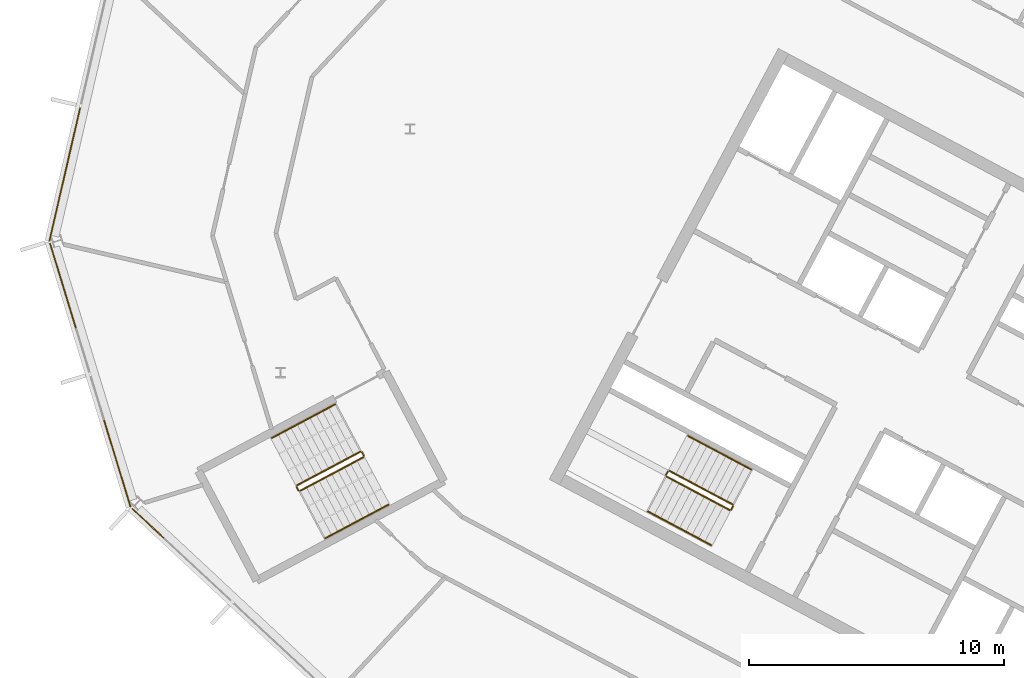
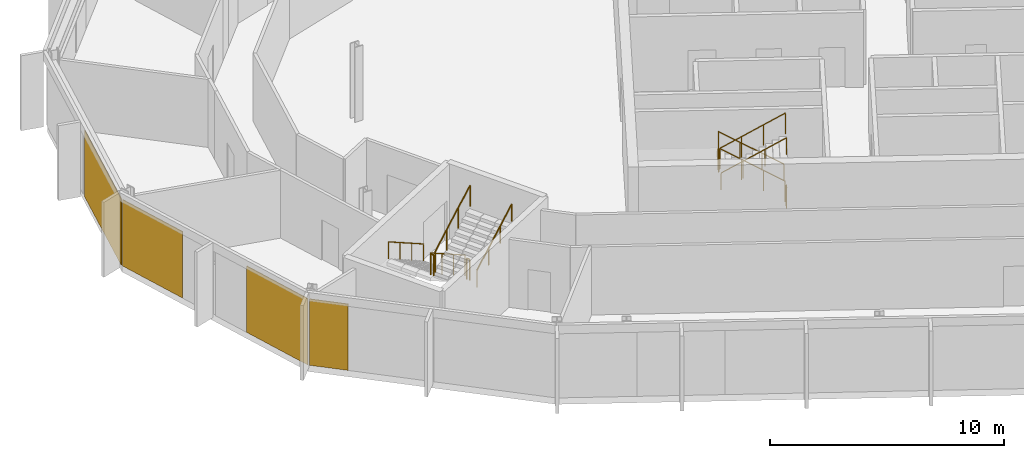
# One storey, part 21 of 26: 12 railings, 4 coverings, 3 elements without a shape of their own.
"""IFC4 building model written with IfcOpenShell, lengths in metres."""

from ifc_helpers import new_model, si_unit, direction, frame, origin, origin_2d, place, context, subcontext, project, spatial, polyline, rectangle, outline, extrude, material, layer, layer_set, type_object, element, aggregate, save


model = new_model("IFC4")

# Units and contexts
model_context = context("Model", 3, precision=1e-05, world=origin(), true_north=direction((0.0, 1.0)))
body_context = subcontext(model_context, "Body", "Model", "MODEL_VIEW")
ifc_project = project(units=[si_unit("LENGTHUNIT", "METRE"), si_unit("AREAUNIT", "SQUARE_METRE"), si_unit("VOLUMEUNIT", "CUBIC_METRE"), si_unit("PLANEANGLEUNIT", "RADIAN"), si_unit("MASSUNIT", "GRAM", prefix="KILO")], contexts=[model_context])

# Site, building, storey
site_placement = place(None, origin())
site = spatial("IfcSite", under=ifc_project, at=site_placement, CompositionType="ELEMENT")
building_placement = place(site_placement, origin())
building = spatial("IfcBuilding", under=site, at=building_placement, Name="Cormorant Relay Tower", CompositionType="ELEMENT")
storey_placement = place(building_placement, frame((0.0, 0.0, 293.10009765625)))
storey = spatial("IfcBuildingStorey", under=building, at=storey_placement, Name="L66", CompositionType="ELEMENT", Elevation=293.10009765625)

# Curtain wall, covering
ifc_material_1 = material(Name="Aluminium 6063-T6 anodised bronze", Category="aluminium")
ifc_layer_1 = layer(ifc_material_1, 0.199951171875)
ifc_layer_set_1 = layer_set([ifc_layer_1], Name="CW1 unitised bronze curtain wall with vertical fins")
curtain_wall_type = type_object("IfcCurtainWallType", Name="CW1 unitised bronze curtain wall with vertical fins", PredefinedType="NOTDEFINED", material=ifc_layer_set_1)
curtain_wall_1_placement = place(storey_placement, origin())
curtain_wall_1 = element("IfcCurtainWall", 1, at=curtain_wall_1_placement, inside=storey, type_object=curtain_wall_type, Name="CW1 curtain wall 13", PredefinedType="NOTDEFINED")
ifc_material_2 = material(Name="Pale bronze anodised aluminium insulated panel", Category="aluminium")
ifc_layer_2 = layer(ifc_material_2, 0.0400390625)
ifc_layer_set_2 = layer_set([ifc_layer_2], Name="CW1 pale bronze insulated panel 40")
covering_type = type_object("IfcCoveringType", Name="CW1 pale bronze insulated panel 40", PredefinedType="CLADDING", material=ifc_layer_set_2)
covering_1_placement = place(storey_placement, frame((-60.136474609375, 23.00927734375, 0.0), z_axis=(0.0, 0.0, 1.0), x_axis=(-0.224951054344, -0.974370064785, 0.0)))
covering_1 = element("IfcCovering", 2, at=covering_1_placement, type_object=covering_type, Name="CW1 panel S01", PredefinedType="CLADDING", context=body_context, shape_type="SweptSolid", body=[
    extrude(rectangle(XDim=5.360107421875, YDim=0.0400390625, at=origin_2d()), origin(), (0.0, 0.0, 1.0), 3.449951171875),
])
aggregate(curtain_wall_1, [covering_1])

# Curtain wall, coverings
curtain_wall_2_placement = place(storey_placement, origin())
curtain_wall_2 = element("IfcCurtainWall", 3, at=curtain_wall_2_placement, inside=storey, type_object=curtain_wall_type, Name="CW1 curtain wall 14", PredefinedType="NOTDEFINED")
covering_2_placement = place(storey_placement, frame((-60.20751953125, 18.6494140625, 0.0), z_axis=(0.0, 0.0, 1.0), x_axis=(0.292371704723, -0.956304755963, 0.0)))
covering_2 = element("IfcCovering", 4, at=covering_2_placement, type_object=covering_type, Name="CW1 panel S00", PredefinedType="CLADDING", context=body_context, shape_type="SweptSolid", body=[
    extrude(rectangle(XDim=3.485107421875, YDim=0.0400390625, at=origin_2d()), origin(), (0.0, 0.0, 1.0), 3.449951171875),
])
covering_3_placement = place(storey_placement, frame((-58.081298828125, 11.6943359375, 0.0), z_axis=(0.0, 0.0, 1.0), x_axis=(0.292371704723, -0.956304755963, 0.0)))
covering_3 = element("IfcCovering", 5, at=covering_3_placement, type_object=covering_type, Name="CW1 panel S03", PredefinedType="CLADDING", context=body_context, shape_type="SweptSolid", body=[
    extrude(rectangle(XDim=3.560302734375, YDim=0.0400390625, at=origin_2d()), origin(), (0.0, 0.0, 1.0), 3.449951171875),
])
aggregate(curtain_wall_2, [covering_2, covering_3])

# Curtain wall, covering
curtain_wall_3_placement = place(storey_placement, origin())
curtain_wall_3 = element("IfcCurtainWall", 6, at=curtain_wall_3_placement, inside=storey, type_object=curtain_wall_type, Name="CW1 curtain wall 15", PredefinedType="NOTDEFINED")
covering_4_placement = place(storey_placement, frame((-56.88427734375, 9.357421875, 0.0), z_axis=(0.0, 0.0, 1.0), x_axis=(0.731353701619, -0.681998360062, 0.0)))
covering_4 = element("IfcCovering", 7, at=covering_4_placement, type_object=covering_type, Name="CW1 panel S00", PredefinedType="CLADDING", context=body_context, shape_type="SweptSolid", body=[
    extrude(rectangle(XDim=1.685302734375, YDim=0.0400390625, at=origin_2d()), origin(), (0.0, 0.0, 1.0), 3.449951171875),
])
aggregate(curtain_wall_3, [covering_4])

# Railings
ifc_material_3 = material(Name="Steel ASTM A572 Grade 50 (Fy 345 MPa)", Category="steel")
railing_type_1 = type_object("IfcRailingType", Name="Stair guard 1100", PredefinedType="GUARDRAIL", material=ifc_material_3)
railing_1_placement = place(storey_placement, frame((-33.9921875, 10.08935546875, 0.17724609375)))
element("IfcRailing", 8, at=railing_1_placement, inside=storey, type_object=railing_type_1, Name="L66 A2 stair guard 1", PredefinedType="GUARDRAIL", context=body_context, shape_type="SweptSolid", body=[
    extrude(outline(polyline([(0.022216796875, 0.00927734375), (0.00927734375, 0.022216796875), (-0.00927734375, 0.022216796875), (-0.022216796875, 0.00927734375), (-0.022216796875, -0.00927734375), (-0.00927734375, -0.022216796875), (0.00927734375, -0.022216796875), (0.022216796875, -0.00927734375), (0.022216796875, 0.00927734375)])), frame((0.0, 0.0, 1.076171875), z_axis=(-0.746001213114, 0.396649272309, 0.534931345884), x_axis=(-0.469465464807, -0.882950835185, 0.0)), (0.0, 0.0, 1.0), 3.31396484375),
    extrude(outline(polyline([(0.019287109375, 0.008056640625), (0.008056640625, 0.019287109375), (-0.008056640625, 0.019287109375), (-0.019287109375, 0.008056640625), (-0.019287109375, -0.008056640625), (-0.008056640625, -0.019287109375), (0.008056640625, -0.019287109375), (0.019287109375, -0.008056640625), (0.019287109375, 0.008056640625)])), origin(), (0.0, 0.0, 1.0), 1.052001953125),
    extrude(outline(polyline([(0.019287109375, 0.008056640625), (0.008056640625, 0.019287109375), (-0.008056640625, 0.019287109375), (-0.019287109375, 0.008056640625), (-0.019287109375, -0.008056640625), (-0.008056640625, -0.019287109375), (0.008056640625, -0.019287109375), (0.019287109375, -0.008056640625), (0.019287109375, 0.008056640625)])), frame((-0.823974609375, 0.438232421875, 0.5908203125)), (0.0, 0.0, 1.0), 1.052001953125),
    extrude(outline(polyline([(0.019287109375, 0.008056640625), (0.008056640625, 0.019287109375), (-0.008056640625, 0.019287109375), (-0.019287109375, 0.008056640625), (-0.019287109375, -0.008056640625), (-0.008056640625, -0.019287109375), (0.008056640625, -0.019287109375), (0.019287109375, -0.008056640625), (0.019287109375, 0.008056640625)])), frame((-1.648193359375, 0.876220703125, 1.181884765625)), (0.0, 0.0, 1.0), 1.052001953125),
    extrude(outline(polyline([(0.019287109375, 0.008056640625), (0.008056640625, 0.019287109375), (-0.008056640625, 0.019287109375), (-0.019287109375, 0.008056640625), (-0.019287109375, -0.008056640625), (-0.008056640625, -0.019287109375), (0.008056640625, -0.019287109375), (0.019287109375, -0.008056640625), (0.019287109375, 0.008056640625)])), frame((-2.47216796875, 1.314453125, 1.772705078125)), (0.0, 0.0, 1.0), 1.052001953125),
])
railing_2_placement = place(storey_placement, frame((-36.531982421875, 11.38330078125, 1.949951171875)))
element("IfcRailing", 9, at=railing_2_placement, inside=storey, type_object=railing_type_1, Name="L66 A2 stair guard 2", PredefinedType="GUARDRAIL", context=body_context, shape_type="SweptSolid", body=[
    extrude(outline(polyline([(0.022216796875, 0.00927734375), (0.00927734375, 0.022216796875), (-0.00927734375, 0.022216796875), (-0.022216796875, 0.00927734375), (-0.022216796875, -0.00927734375), (-0.00927734375, -0.022216796875), (0.00927734375, -0.022216796875), (0.022216796875, -0.00927734375), (0.022216796875, 0.00927734375)])), frame((0.0, 0.0, 1.076171875), z_axis=(-0.469828648786, -0.882757634224, 0.0), x_axis=(0.882757634224, -0.469828648786, 0.0)), (0.0, 0.0, 1.0), 0.150146484375),
    extrude(outline(polyline([(0.019287109375, 0.008056640625), (0.008056640625, 0.019287109375), (-0.008056640625, 0.019287109375), (-0.019287109375, 0.008056640625), (-0.019287109375, -0.008056640625), (-0.008056640625, -0.019287109375), (0.008056640625, -0.019287109375), (0.019287109375, -0.008056640625), (0.019287109375, 0.008056640625)])), origin(), (0.0, 0.0, 1.0), 1.052001953125),
    extrude(outline(polyline([(0.019287109375, 0.008056640625), (0.008056640625, 0.019287109375), (-0.008056640625, 0.019287109375), (-0.019287109375, 0.008056640625), (-0.019287109375, -0.008056640625), (-0.008056640625, -0.019287109375), (0.008056640625, -0.019287109375), (0.019287109375, -0.008056640625), (0.019287109375, 0.008056640625)])), frame((-0.070556640625, -0.132568359375, 0.0)), (0.0, 0.0, 1.0), 1.052001953125),
])
railing_3_placement = place(storey_placement, frame((-36.581787109375, 11.18310546875, 2.127197265625)))
element("IfcRailing", 10, at=railing_3_placement, inside=storey, type_object=railing_type_1, Name="L66 A2 stair guard 3", PredefinedType="GUARDRAIL", context=body_context, shape_type="SweptSolid", body=[
    extrude(outline(polyline([(0.022216796875, 0.00927734375), (0.00927734375, 0.022216796875), (-0.00927734375, 0.022216796875), (-0.022216796875, 0.00927734375), (-0.022216796875, -0.00927734375), (-0.00927734375, -0.022216796875), (0.00927734375, -0.022216796875), (0.022216796875, -0.00927734375), (0.022216796875, 0.00927734375)])), frame((0.0, 0.0, 1.076171875), z_axis=(0.746001213114, -0.396649272309, 0.534931345884), x_axis=(0.469465464807, 0.882950835185, 0.0)), (0.0, 0.0, 1.0), 3.31396484375),
    extrude(outline(polyline([(0.019287109375, 0.008056640625), (0.008056640625, 0.019287109375), (-0.008056640625, 0.019287109375), (-0.019287109375, 0.008056640625), (-0.019287109375, -0.008056640625), (-0.008056640625, -0.019287109375), (0.008056640625, -0.019287109375), (0.019287109375, -0.008056640625), (0.019287109375, 0.008056640625)])), origin(), (0.0, 0.0, 1.0), 1.052001953125),
    extrude(outline(polyline([(0.019287109375, 0.008056640625), (0.008056640625, 0.019287109375), (-0.008056640625, 0.019287109375), (-0.019287109375, 0.008056640625), (-0.019287109375, -0.008056640625), (-0.008056640625, -0.019287109375), (0.008056640625, -0.019287109375), (0.019287109375, -0.008056640625), (0.019287109375, 0.008056640625)])), frame((0.823974609375, -0.438232421875, 0.5908203125)), (0.0, 0.0, 1.0), 1.052001953125),
    extrude(outline(polyline([(0.019287109375, 0.008056640625), (0.008056640625, 0.019287109375), (-0.008056640625, 0.019287109375), (-0.019287109375, 0.008056640625), (-0.019287109375, -0.008056640625), (-0.008056640625, -0.019287109375), (0.008056640625, -0.019287109375), (0.019287109375, -0.008056640625), (0.019287109375, 0.008056640625)])), frame((1.648193359375, -0.876220703125, 1.181884765625)), (0.0, 0.0, 1.0), 1.052001953125),
    extrude(outline(polyline([(0.019287109375, 0.008056640625), (0.008056640625, 0.019287109375), (-0.008056640625, 0.019287109375), (-0.019287109375, 0.008056640625), (-0.019287109375, -0.008056640625), (-0.008056640625, -0.019287109375), (0.008056640625, -0.019287109375), (0.019287109375, -0.008056640625), (0.019287109375, 0.008056640625)])), frame((2.47216796875, -1.314453125, 1.772705078125)), (0.0, 0.0, 1.0), 1.052001953125),
])
railing_4_placement = place(storey_placement, frame((-33.971435546875, 10.021728515625, 0.0)))
element("IfcRailing", 11, at=railing_4_placement, inside=storey, type_object=railing_type_1, Name="L66 A2 stair guard 4", PredefinedType="GUARDRAIL", context=body_context, shape_type="SweptSolid", body=[
    extrude(outline(polyline([(0.022216796875, 0.00927734375), (0.00927734375, 0.022216796875), (-0.00927734375, 0.022216796875), (-0.022216796875, 0.00927734375), (-0.022216796875, -0.00927734375), (-0.00927734375, -0.022216796875), (0.00927734375, -0.022216796875), (0.022216796875, -0.00927734375), (0.022216796875, 0.00927734375)])), frame((0.0, 0.0, 1.076171875), z_axis=(-0.470503732759, -0.882398003998, 0.0), x_axis=(0.882398003998, -0.470503732759, 0.0)), (0.0, 0.0, 1.0), 0.14990234375),
    extrude(outline(polyline([(0.019287109375, 0.008056640625), (0.008056640625, 0.019287109375), (-0.008056640625, 0.019287109375), (-0.019287109375, 0.008056640625), (-0.019287109375, -0.008056640625), (-0.008056640625, -0.019287109375), (0.008056640625, -0.019287109375), (0.019287109375, -0.008056640625), (0.019287109375, 0.008056640625)])), origin(), (0.0, 0.0, 1.0), 1.052001953125),
    extrude(outline(polyline([(0.019287109375, 0.008056640625), (0.008056640625, 0.019287109375), (-0.008056640625, 0.019287109375), (-0.019287109375, 0.008056640625), (-0.019287109375, -0.008056640625), (-0.008056640625, -0.019287109375), (0.008056640625, -0.019287109375), (0.019287109375, -0.008056640625), (0.019287109375, 0.008056640625)])), frame((-0.070556640625, -0.13232421875, 0.0)), (0.0, 0.0, 1.0), 1.052001953125),
])
railing_5_placement = place(storey_placement, frame((-48.5693359375, 12.155517578125, 0.17724609375)))
element("IfcRailing", 12, at=railing_5_placement, inside=storey, type_object=railing_type_1, Name="L66 RP1 stair guard 1", PredefinedType="GUARDRAIL", context=body_context, shape_type="SweptSolid", body=[
    extrude(outline(polyline([(0.022216796875, 0.00927734375), (0.00927734375, 0.022216796875), (-0.00927734375, 0.022216796875), (-0.022216796875, 0.00927734375), (-0.022216796875, -0.00927734375), (-0.00927734375, -0.022216796875), (0.00927734375, -0.022216796875), (0.022216796875, -0.00927734375), (0.022216796875, 0.00927734375)])), frame((0.0, 0.0, 1.076171875), z_axis=(-0.746012083385, -0.396689549623, 0.534886317514), x_axis=(0.469497295046, -0.882933910293, 0.0)), (0.0, 0.0, 1.0), 3.314208984375),
    extrude(outline(polyline([(0.019287109375, 0.008056640625), (0.008056640625, 0.019287109375), (-0.008056640625, 0.019287109375), (-0.019287109375, 0.008056640625), (-0.019287109375, -0.008056640625), (-0.008056640625, -0.019287109375), (0.008056640625, -0.019287109375), (0.019287109375, -0.008056640625), (0.019287109375, 0.008056640625)])), origin(), (0.0, 0.0, 1.0), 1.052001953125),
    extrude(outline(polyline([(0.019287109375, 0.008056640625), (0.008056640625, 0.019287109375), (-0.008056640625, 0.019287109375), (-0.019287109375, 0.008056640625), (-0.019287109375, -0.008056640625), (-0.008056640625, -0.019287109375), (0.008056640625, -0.019287109375), (0.019287109375, -0.008056640625), (0.019287109375, 0.008056640625)])), frame((-0.82421875, -0.438232421875, 0.5908203125)), (0.0, 0.0, 1.0), 1.052001953125),
    extrude(outline(polyline([(0.019287109375, 0.008056640625), (0.008056640625, 0.019287109375), (-0.008056640625, 0.019287109375), (-0.019287109375, 0.008056640625), (-0.019287109375, -0.008056640625), (-0.008056640625, -0.019287109375), (0.008056640625, -0.019287109375), (0.019287109375, -0.008056640625), (0.019287109375, 0.008056640625)])), frame((-1.648193359375, -0.87646484375, 1.181884765625)), (0.0, 0.0, 1.0), 1.052001953125),
    extrude(outline(polyline([(0.019287109375, 0.008056640625), (0.008056640625, 0.019287109375), (-0.008056640625, 0.019287109375), (-0.019287109375, 0.008056640625), (-0.019287109375, -0.008056640625), (-0.008056640625, -0.019287109375), (0.008056640625, -0.019287109375), (0.019287109375, -0.008056640625), (0.019287109375, 0.008056640625)])), frame((-2.472412109375, -1.314697265625, 1.772705078125)), (0.0, 0.0, 1.0), 1.052001953125),
])
railing_6_placement = place(storey_placement, frame((-51.062255859375, 10.773193359375, 1.949951171875)))
element("IfcRailing", 13, at=railing_6_placement, inside=storey, type_object=railing_type_1, Name="L66 RP1 stair guard 2", PredefinedType="GUARDRAIL", context=body_context, shape_type="SweptSolid", body=[
    extrude(outline(polyline([(0.022216796875, 0.00927734375), (0.00927734375, 0.022216796875), (-0.00927734375, 0.022216796875), (-0.022216796875, 0.00927734375), (-0.022216796875, -0.00927734375), (-0.00927734375, -0.022216796875), (0.00927734375, -0.022216796875), (0.022216796875, -0.00927734375), (0.022216796875, 0.00927734375)])), frame((0.0, 0.0, 1.076171875), z_axis=(0.469234640946, -0.883073525669, 0.0), x_axis=(0.883073525669, 0.469234640946, 0.0)), (0.0, 0.0, 1.0), 0.14990234375),
    extrude(outline(polyline([(0.019287109375, 0.008056640625), (0.008056640625, 0.019287109375), (-0.008056640625, 0.019287109375), (-0.019287109375, 0.008056640625), (-0.019287109375, -0.008056640625), (-0.008056640625, -0.019287109375), (0.008056640625, -0.019287109375), (0.019287109375, -0.008056640625), (0.019287109375, 0.008056640625)])), origin(), (0.0, 0.0, 1.0), 1.052001953125),
    extrude(outline(polyline([(0.019287109375, 0.008056640625), (0.008056640625, 0.019287109375), (-0.008056640625, 0.019287109375), (-0.019287109375, 0.008056640625), (-0.019287109375, -0.008056640625), (-0.008056640625, -0.019287109375), (0.008056640625, -0.019287109375), (0.019287109375, -0.008056640625), (0.019287109375, 0.008056640625)])), frame((0.0703125, -0.13232421875, 0.0)), (0.0, 0.0, 1.0), 1.052001953125),
])
railing_7_placement = place(storey_placement, frame((-50.92431640625, 10.6201171875, 2.127197265625)))
element("IfcRailing", 14, at=railing_7_placement, inside=storey, type_object=railing_type_1, Name="L66 RP1 stair guard 3", PredefinedType="GUARDRAIL", context=body_context, shape_type="SweptSolid", body=[
    extrude(outline(polyline([(0.022216796875, 0.00927734375), (0.00927734375, 0.022216796875), (-0.00927734375, 0.022216796875), (-0.022216796875, 0.00927734375), (-0.022216796875, -0.00927734375), (-0.00927734375, -0.022216796875), (0.00927734375, -0.022216796875), (0.022216796875, -0.00927734375), (0.022216796875, 0.00927734375)])), frame((0.0, 0.0, 1.076171875), z_axis=(0.746033882577, 0.396627473466, 0.534901947407), x_axis=(-0.469429322983, 0.882970050864, 0.0)), (0.0, 0.0, 1.0), 3.31396484375),
    extrude(outline(polyline([(0.019287109375, 0.008056640625), (0.008056640625, 0.019287109375), (-0.008056640625, 0.019287109375), (-0.019287109375, 0.008056640625), (-0.019287109375, -0.008056640625), (-0.008056640625, -0.019287109375), (0.008056640625, -0.019287109375), (0.019287109375, -0.008056640625), (0.019287109375, 0.008056640625)])), origin(), (0.0, 0.0, 1.0), 1.052001953125),
    extrude(outline(polyline([(0.019287109375, 0.008056640625), (0.008056640625, 0.019287109375), (-0.008056640625, 0.019287109375), (-0.019287109375, 0.008056640625), (-0.019287109375, -0.008056640625), (-0.008056640625, -0.019287109375), (0.008056640625, -0.019287109375), (0.019287109375, -0.008056640625), (0.019287109375, 0.008056640625)])), frame((0.82421875, 0.438232421875, 0.5908203125)), (0.0, 0.0, 1.0), 1.052001953125),
    extrude(outline(polyline([(0.019287109375, 0.008056640625), (0.008056640625, 0.019287109375), (-0.008056640625, 0.019287109375), (-0.019287109375, 0.008056640625), (-0.019287109375, -0.008056640625), (-0.008056640625, -0.019287109375), (0.008056640625, -0.019287109375), (0.019287109375, -0.008056640625), (0.019287109375, 0.008056640625)])), frame((1.648193359375, 0.876220703125, 1.181884765625)), (0.0, 0.0, 1.0), 1.052001953125),
    extrude(outline(polyline([(0.019287109375, 0.008056640625), (0.008056640625, 0.019287109375), (-0.008056640625, 0.019287109375), (-0.019287109375, 0.008056640625), (-0.019287109375, -0.008056640625), (-0.008056640625, -0.019287109375), (0.008056640625, -0.019287109375), (0.019287109375, -0.008056640625), (0.019287109375, 0.008056640625)])), frame((2.472412109375, 1.314453125, 1.772705078125)), (0.0, 0.0, 1.0), 1.052001953125),
])
railing_8_placement = place(storey_placement, frame((-48.501708984375, 12.134765625, 0.0)))
element("IfcRailing", 15, at=railing_8_placement, inside=storey, type_object=railing_type_1, Name="L66 RP1 stair guard 4", PredefinedType="GUARDRAIL", context=body_context, shape_type="SweptSolid", body=[
    extrude(outline(polyline([(0.022216796875, 0.00927734375), (0.00927734375, 0.022216796875), (-0.00927734375, 0.022216796875), (-0.022216796875, 0.00927734375), (-0.022216796875, -0.00927734375), (-0.00927734375, -0.022216796875), (0.00927734375, -0.022216796875), (0.022216796875, -0.00927734375), (0.022216796875, 0.00927734375)])), frame((0.0, 0.0, 1.076171875), z_axis=(0.46856034887, -0.8834314911, 0.0), x_axis=(0.8834314911, 0.46856034887, 0.0)), (0.0, 0.0, 1.0), 0.150146484375),
    extrude(outline(polyline([(0.019287109375, 0.008056640625), (0.008056640625, 0.019287109375), (-0.008056640625, 0.019287109375), (-0.019287109375, 0.008056640625), (-0.019287109375, -0.008056640625), (-0.008056640625, -0.019287109375), (0.008056640625, -0.019287109375), (0.019287109375, -0.008056640625), (0.019287109375, 0.008056640625)])), origin(), (0.0, 0.0, 1.0), 1.052001953125),
    extrude(outline(polyline([(0.019287109375, 0.008056640625), (0.008056640625, 0.019287109375), (-0.008056640625, 0.019287109375), (-0.019287109375, 0.008056640625), (-0.019287109375, -0.008056640625), (-0.008056640625, -0.019287109375), (0.008056640625, -0.019287109375), (0.019287109375, -0.008056640625), (0.019287109375, 0.008056640625)])), frame((0.0703125, -0.132568359375, 0.0)), (0.0, 0.0, 1.0), 1.052001953125),
])
ifc_material_4 = material(Name="Steel ASTM A572 Grade 50 (Fy 345 MPa)", Category="steel")
railing_type_2 = type_object("IfcRailingType", Name="Stair handrail 900", PredefinedType="HANDRAIL", material=ifc_material_4)
railing_9_placement = place(storey_placement, frame((-33.264404296875, 11.4580078125, 0.17724609375)))
element("IfcRailing", 16, at=railing_9_placement, inside=storey, type_object=railing_type_2, Name="L66 A2 stair handrail 1", PredefinedType="HANDRAIL", context=body_context, shape_type="SweptSolid", body=[
    extrude(outline(polyline([(0.022216796875, 0.00927734375), (0.00927734375, 0.022216796875), (-0.00927734375, 0.022216796875), (-0.022216796875, 0.00927734375), (-0.022216796875, -0.00927734375), (-0.00927734375, -0.022216796875), (0.00927734375, -0.022216796875), (0.022216796875, -0.00927734375), (0.022216796875, 0.00927734375)])), frame((0.0, 0.0, 0.8759765625), z_axis=(-0.746033882577, 0.396627473466, 0.534901947407), x_axis=(-0.469429322983, -0.882970050864, 0.0)), (0.0, 0.0, 1.0), 3.31396484375),
    extrude(outline(polyline([(0.019287109375, 0.008056640625), (0.008056640625, 0.019287109375), (-0.008056640625, 0.019287109375), (-0.019287109375, 0.008056640625), (-0.019287109375, -0.008056640625), (-0.008056640625, -0.019287109375), (0.008056640625, -0.019287109375), (0.019287109375, -0.008056640625), (0.019287109375, 0.008056640625)])), origin(), (0.0, 0.0, 1.0), 0.851806640625),
    extrude(outline(polyline([(0.019287109375, 0.008056640625), (0.008056640625, 0.019287109375), (-0.008056640625, 0.019287109375), (-0.019287109375, 0.008056640625), (-0.019287109375, -0.008056640625), (-0.008056640625, -0.019287109375), (0.008056640625, -0.019287109375), (0.019287109375, -0.008056640625), (0.019287109375, 0.008056640625)])), frame((-0.82421875, 0.438232421875, 0.5908203125)), (0.0, 0.0, 1.0), 0.851806640625),
    extrude(outline(polyline([(0.019287109375, 0.008056640625), (0.008056640625, 0.019287109375), (-0.008056640625, 0.019287109375), (-0.019287109375, 0.008056640625), (-0.019287109375, -0.008056640625), (-0.008056640625, -0.019287109375), (0.008056640625, -0.019287109375), (0.019287109375, -0.008056640625), (0.019287109375, 0.008056640625)])), frame((-1.648193359375, 0.876220703125, 1.181884765625)), (0.0, 0.0, 1.0), 0.851806640625),
    extrude(outline(polyline([(0.019287109375, 0.008056640625), (0.008056640625, 0.019287109375), (-0.008056640625, 0.019287109375), (-0.019287109375, 0.008056640625), (-0.019287109375, -0.008056640625), (-0.008056640625, -0.019287109375), (0.008056640625, -0.019287109375), (0.019287109375, -0.008056640625), (0.019287109375, 0.008056640625)])), frame((-2.472412109375, 1.314453125, 1.772705078125)), (0.0, 0.0, 1.0), 0.851806640625),
])
railing_10_placement = place(storey_placement, frame((-37.3095703125, 9.814453125, 2.127197265625)))
element("IfcRailing", 17, at=railing_10_placement, inside=storey, type_object=railing_type_2, Name="L66 A2 stair handrail 2", PredefinedType="HANDRAIL", context=body_context, shape_type="SweptSolid", body=[
    extrude(outline(polyline([(0.022216796875, 0.00927734375), (0.00927734375, 0.022216796875), (-0.00927734375, 0.022216796875), (-0.022216796875, 0.00927734375), (-0.022216796875, -0.00927734375), (-0.00927734375, -0.022216796875), (0.00927734375, -0.022216796875), (0.022216796875, -0.00927734375), (0.022216796875, 0.00927734375)])), frame((0.0, 0.0, 0.8759765625), z_axis=(0.746033882577, -0.396627473466, 0.534901947407), x_axis=(0.469429322983, 0.882970050864, 0.0)), (0.0, 0.0, 1.0), 3.31396484375),
    extrude(outline(polyline([(0.019287109375, 0.008056640625), (0.008056640625, 0.019287109375), (-0.008056640625, 0.019287109375), (-0.019287109375, 0.008056640625), (-0.019287109375, -0.008056640625), (-0.008056640625, -0.019287109375), (0.008056640625, -0.019287109375), (0.019287109375, -0.008056640625), (0.019287109375, 0.008056640625)])), origin(), (0.0, 0.0, 1.0), 0.851806640625),
    extrude(outline(polyline([(0.019287109375, 0.008056640625), (0.008056640625, 0.019287109375), (-0.008056640625, 0.019287109375), (-0.019287109375, 0.008056640625), (-0.019287109375, -0.008056640625), (-0.008056640625, -0.019287109375), (0.008056640625, -0.019287109375), (0.019287109375, -0.008056640625), (0.019287109375, 0.008056640625)])), frame((0.82421875, -0.438232421875, 0.5908203125)), (0.0, 0.0, 1.0), 0.851806640625),
    extrude(outline(polyline([(0.019287109375, 0.008056640625), (0.008056640625, 0.019287109375), (-0.008056640625, 0.019287109375), (-0.019287109375, 0.008056640625), (-0.019287109375, -0.008056640625), (-0.008056640625, -0.019287109375), (0.008056640625, -0.019287109375), (0.019287109375, -0.008056640625), (0.019287109375, 0.008056640625)])), frame((1.648193359375, -0.876220703125, 1.181884765625)), (0.0, 0.0, 1.0), 0.851806640625),
    extrude(outline(polyline([(0.019287109375, 0.008056640625), (0.008056640625, 0.019287109375), (-0.008056640625, 0.019287109375), (-0.019287109375, 0.008056640625), (-0.019287109375, -0.008056640625), (-0.008056640625, -0.019287109375), (0.008056640625, -0.019287109375), (0.019287109375, -0.008056640625), (0.019287109375, 0.008056640625)])), frame((2.472412109375, -1.314453125, 1.772705078125)), (0.0, 0.0, 1.0), 0.851806640625),
])
railing_11_placement = place(storey_placement, frame((-49.55517578125, 14.009521484375, 0.17724609375)))
element("IfcRailing", 18, at=railing_11_placement, inside=storey, type_object=railing_type_2, Name="L66 RP1 stair handrail 1", PredefinedType="HANDRAIL", context=body_context, shape_type="SweptSolid", body=[
    extrude(outline(polyline([(0.022216796875, 0.00927734375), (0.00927734375, 0.022216796875), (-0.00927734375, 0.022216796875), (-0.022216796875, 0.00927734375), (-0.022216796875, -0.00927734375), (-0.00927734375, -0.022216796875), (0.00927734375, -0.022216796875), (0.022216796875, -0.00927734375), (0.022216796875, 0.00927734375)])), frame((0.0, 0.0, 0.8759765625), z_axis=(-0.746033882577, -0.396627473466, 0.534901947407), x_axis=(0.469429322983, -0.882970050864, 0.0)), (0.0, 0.0, 1.0), 3.31396484375),
    extrude(outline(polyline([(0.019287109375, 0.008056640625), (0.008056640625, 0.019287109375), (-0.008056640625, 0.019287109375), (-0.019287109375, 0.008056640625), (-0.019287109375, -0.008056640625), (-0.008056640625, -0.019287109375), (0.008056640625, -0.019287109375), (0.019287109375, -0.008056640625), (0.019287109375, 0.008056640625)])), origin(), (0.0, 0.0, 1.0), 0.851806640625),
    extrude(outline(polyline([(0.019287109375, 0.008056640625), (0.008056640625, 0.019287109375), (-0.008056640625, 0.019287109375), (-0.019287109375, 0.008056640625), (-0.019287109375, -0.008056640625), (-0.008056640625, -0.019287109375), (0.008056640625, -0.019287109375), (0.019287109375, -0.008056640625), (0.019287109375, 0.008056640625)])), frame((-0.82421875, -0.438232421875, 0.5908203125)), (0.0, 0.0, 1.0), 0.851806640625),
    extrude(outline(polyline([(0.019287109375, 0.008056640625), (0.008056640625, 0.019287109375), (-0.008056640625, 0.019287109375), (-0.019287109375, 0.008056640625), (-0.019287109375, -0.008056640625), (-0.008056640625, -0.019287109375), (0.008056640625, -0.019287109375), (0.019287109375, -0.008056640625), (0.019287109375, 0.008056640625)])), frame((-1.648193359375, -0.876220703125, 1.181884765625)), (0.0, 0.0, 1.0), 0.851806640625),
    extrude(outline(polyline([(0.019287109375, 0.008056640625), (0.008056640625, 0.019287109375), (-0.008056640625, 0.019287109375), (-0.019287109375, 0.008056640625), (-0.019287109375, -0.008056640625), (-0.008056640625, -0.019287109375), (0.008056640625, -0.019287109375), (0.019287109375, -0.008056640625), (0.019287109375, 0.008056640625)])), frame((-2.472412109375, -1.314453125, 1.772705078125)), (0.0, 0.0, 1.0), 0.851806640625),
])
railing_12_placement = place(storey_placement, frame((-49.9384765625, 8.765869140625, 2.127197265625)))
element("IfcRailing", 19, at=railing_12_placement, inside=storey, type_object=railing_type_2, Name="L66 RP1 stair handrail 2", PredefinedType="HANDRAIL", context=body_context, shape_type="SweptSolid", body=[
    extrude(outline(polyline([(0.022216796875, 0.00927734375), (0.00927734375, 0.022216796875), (-0.00927734375, 0.022216796875), (-0.022216796875, 0.00927734375), (-0.022216796875, -0.00927734375), (-0.00927734375, -0.022216796875), (0.00927734375, -0.022216796875), (0.022216796875, -0.00927734375), (0.022216796875, 0.00927734375)])), frame((0.0, 0.0, 0.8759765625), z_axis=(0.746012083385, 0.396689549623, 0.534886317514), x_axis=(-0.469497295046, 0.882933910293, 0.0)), (0.0, 0.0, 1.0), 3.314208984375),
    extrude(outline(polyline([(0.019287109375, 0.008056640625), (0.008056640625, 0.019287109375), (-0.008056640625, 0.019287109375), (-0.019287109375, 0.008056640625), (-0.019287109375, -0.008056640625), (-0.008056640625, -0.019287109375), (0.008056640625, -0.019287109375), (0.019287109375, -0.008056640625), (0.019287109375, 0.008056640625)])), origin(), (0.0, 0.0, 1.0), 0.851806640625),
    extrude(outline(polyline([(0.019287109375, 0.008056640625), (0.008056640625, 0.019287109375), (-0.008056640625, 0.019287109375), (-0.019287109375, 0.008056640625), (-0.019287109375, -0.008056640625), (-0.008056640625, -0.019287109375), (0.008056640625, -0.019287109375), (0.019287109375, -0.008056640625), (0.019287109375, 0.008056640625)])), frame((0.82421875, 0.438232421875, 0.5908203125)), (0.0, 0.0, 1.0), 0.851806640625),
    extrude(outline(polyline([(0.019287109375, 0.008056640625), (0.008056640625, 0.019287109375), (-0.008056640625, 0.019287109375), (-0.019287109375, 0.008056640625), (-0.019287109375, -0.008056640625), (-0.008056640625, -0.019287109375), (0.008056640625, -0.019287109375), (0.019287109375, -0.008056640625), (0.019287109375, 0.008056640625)])), frame((1.648193359375, 0.87646484375, 1.181884765625)), (0.0, 0.0, 1.0), 0.851806640625),
    extrude(outline(polyline([(0.019287109375, 0.008056640625), (0.008056640625, 0.019287109375), (-0.008056640625, 0.019287109375), (-0.019287109375, 0.008056640625), (-0.019287109375, -0.008056640625), (-0.008056640625, -0.019287109375), (0.008056640625, -0.019287109375), (0.019287109375, -0.008056640625), (0.019287109375, 0.008056640625)])), frame((2.472412109375, 1.314697265625, 1.772705078125)), (0.0, 0.0, 1.0), 0.851806640625),
])

save(model, "model.ifc")
